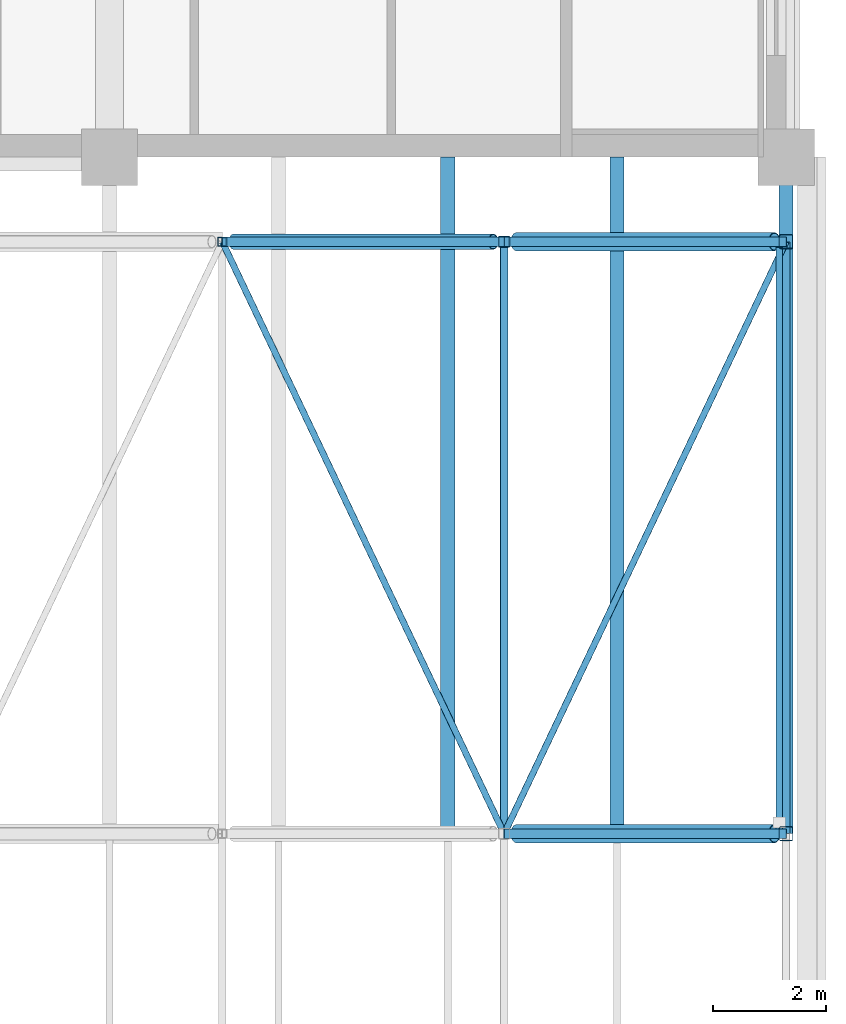
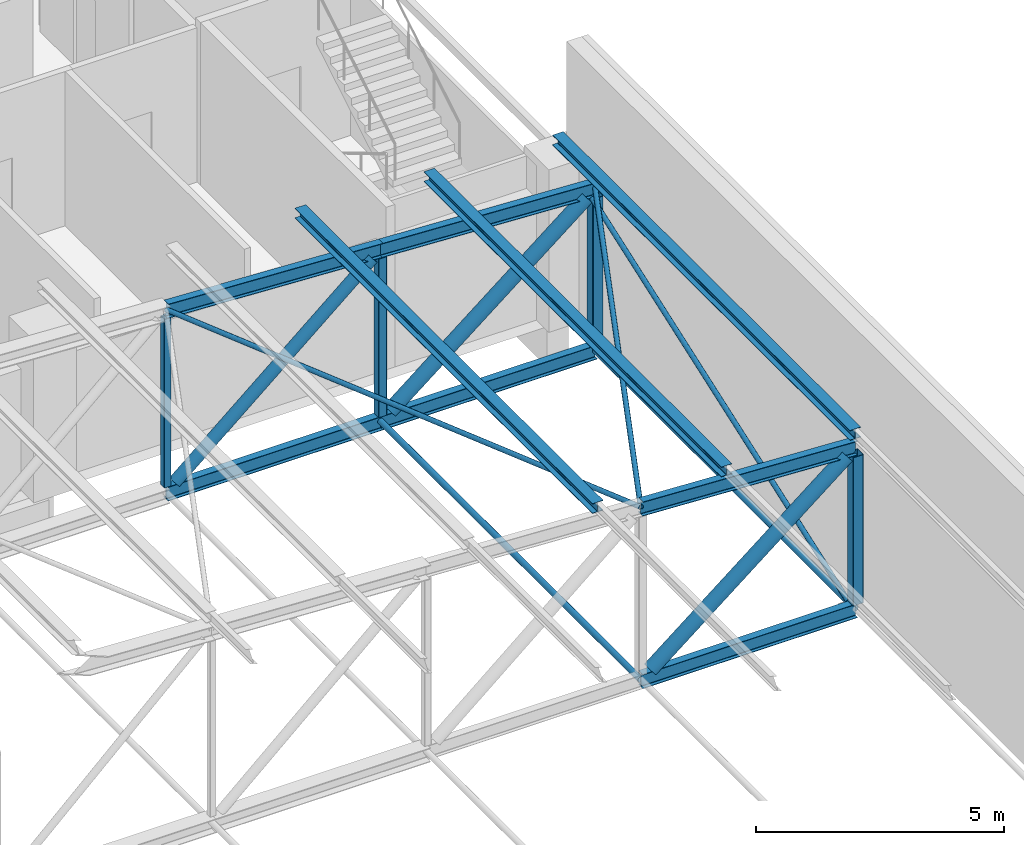
# One storey, part 127 of 156: 21 members.
"""IFC4 building model written with IfcOpenShell, lengths in metres."""

from ifc_helpers import new_model, si_unit, direction, frame, origin, origin_2d, place, context, subcontext, project, spatial, hollow_rectangle, hollow_circle, i_section, extrude, material, material_profile, profile_set, type_object, element, save


model = new_model("IFC4")

# Units and contexts
model_context = context("Model", 3, precision=1e-05, world=origin(), true_north=direction((0.0, 1.0)))
body_context = subcontext(model_context, "Body", "Model", "MODEL_VIEW")
ifc_project = project(units=[si_unit("LENGTHUNIT", "METRE"), si_unit("AREAUNIT", "SQUARE_METRE"), si_unit("VOLUMEUNIT", "CUBIC_METRE"), si_unit("PLANEANGLEUNIT", "RADIAN"), si_unit("MASSUNIT", "GRAM", prefix="KILO")], contexts=[model_context])

# Site, building, storey
site_placement = place(None, origin())
site = spatial("IfcSite", under=ifc_project, at=site_placement, CompositionType="ELEMENT")
building_placement = place(site_placement, origin())
building = spatial("IfcBuilding", under=site, at=building_placement, Name="Lilac Gate Convention Centre", CompositionType="ELEMENT")
storey_placement = place(building_placement, frame((0.0, 0.0, 17.0)))
storey = spatial("IfcBuildingStorey", under=building, at=storey_placement, Name="L03", CompositionType="ELEMENT", Elevation=17.0)

# Members
ifc_material = material(Name="Steel Q355B", Category="steel")
ifc_material_profile_1 = material_profile(ifc_material, hollow_circle(Radius=0.06982421875, WallThickness=0.0048828125, at=origin_2d()), Name="CHS139.7x5")
ifc_profile_set_1 = profile_set([ifc_material_profile_1], Name="Steel Q355B")
member_type_1 = type_object("IfcMemberType", Name="Bottom chord tie CHS139.7x5", PredefinedType="STRUT", material=ifc_profile_set_1)
for number, where, z_axis, x_axis, name in (
    (1, (85.0, 210.00341796875, 0.0), (0.0, 1.0, 0.0), (-1.0, 0.0, 0.0), "ST1 tie bay 16 node 12"),
    (2, (90.0, 210.00341796875, 0.0), (0.0, 1.0, 0.0), (-1.0, 0.0, 0.0), "ST1 tie bay 16 node 13"),
):
    element("IfcMember", number, at=place(storey_placement, frame(where, z_axis=z_axis, x_axis=x_axis)), inside=storey, type_object=member_type_1, Name=name, PredefinedType="STRUT", context=body_context, shape_type="SweptSolid", body=[
        extrude(hollow_circle(Radius=0.06982421875, WallThickness=0.0048828125, at=origin_2d()), origin(), (0.0, 0.0, 1.0), 10.4931640625),
    ])
ifc_material_profile_2 = material_profile(ifc_material, hollow_circle(Radius=0.05712890625, WallThickness=0.0048828125, at=origin_2d()), Name="CHS114.3x5")
ifc_profile_set_2 = profile_set([ifc_material_profile_2], Name="Steel Q355B")
member_type_2 = type_object("IfcMemberType", Name="Roof plane bracing CHS114.3x5", PredefinedType="BRACE", material=ifc_profile_set_2)
for number, where, z_axis, x_axis, name in (
    (3, (80.001708984375, 220.49658203125, 4.5), (0.429822733315, -0.902657142475, -0.021505837922), (0.902865954854, 0.429922164543, 0.0), "BR1 plan bracing bay 16 panel 11"),
    (4, (85.001708984375, 210.00341796875, 4.25), (0.429822733315, 0.902657142475, -0.021505837922), (-0.902865954854, 0.429922164543, 0.0), "BR1 plan bracing bay 16 panel 12"),
):
    element("IfcMember", number, at=place(storey_placement, frame(where, z_axis=z_axis, x_axis=x_axis)), inside=storey, type_object=member_type_2, Name=name, PredefinedType="BRACE", context=body_context, shape_type="SweptSolid", body=[
        extrude(hollow_circle(Radius=0.05712890625, WallThickness=0.0048828125, at=origin_2d()), origin(), (0.0, 0.0, 1.0), 11.624755859375),
    ])
ifc_material_profile_3 = material_profile(ifc_material, i_section(OverallWidth=0.25, OverallDepth=0.25, WebThickness=0.009033203125, FlangeThickness=0.013916015625, FilletRadius=0.012939453125, at=origin_2d()), Name="HW250x250x9x14")
ifc_profile_set_3 = profile_set([ifc_material_profile_3], Name="Steel Q355B")
member_type_3 = type_object("IfcMemberType", Name="Roof purlin HW250x250x9x14", PredefinedType="PURLIN", material=ifc_profile_set_3)
for number, where, z_axis, x_axis, name in (
    (5, (84.0, 210.0, 4.60009765625), (0.0, 1.0, 0.0), (-1.0, 0.0, 0.0), "PU1 purlin bay 16 line 19"),
    (6, (87.0, 210.0, 4.4501953125), (0.0, 1.0, 0.0), (-1.0, 0.0, 0.0), "PU1 purlin bay 16 line 20"),
    (7, (90.0, 210.0, 4.30029296875), (0.0, 1.0, 0.0), (-1.0, 0.0, 0.0), "PU1 purlin bay 16 line 21"),
):
    element("IfcMember", number, at=place(storey_placement, frame(where, z_axis=z_axis, x_axis=x_axis)), inside=storey, type_object=member_type_3, Name=name, PredefinedType="PURLIN", context=body_context, shape_type="SweptSolid", body=[
        extrude(i_section(OverallWidth=0.25, OverallDepth=0.25, WebThickness=0.009033203125, FlangeThickness=0.013916015625, FilletRadius=0.012939453125, at=origin_2d()), origin(), (0.0, 0.0, 1.0), 12.0),
    ])
ifc_material_profile_4 = material_profile(ifc_material, i_section(OverallWidth=0.175048828125, OverallDepth=0.35009765625, WebThickness=0.007080078125, FlangeThickness=0.010986328125, FilletRadius=0.012939453125, at=origin_2d()), Name="HN350x175x7x11")
ifc_profile_set_4 = profile_set([ifc_material_profile_4], Name="Steel Q355B")
member_type_4 = type_object("IfcMemberType", Name="Truss bottom chord HN350x175x7x11", PredefinedType="CHORD", material=ifc_profile_set_4)
for number, where, z_axis, x_axis, name in (
    (8, (85.0, 210.0, 0.0), (1.0, 0.0, 0.0), (0.0, 1.0, 0.0), "TB1 truss 16 bottom chord 12"),
    (9, (80.0, 220.5, 0.0), (1.0, 0.0, 0.0), (0.0, 1.0, 0.0), "TB1 truss 17 bottom chord 11"),
    (10, (85.0, 220.5, 0.0), (1.0, 0.0, 0.0), (0.0, 1.0, 0.0), "TB1 truss 17 bottom chord 12"),
):
    element("IfcMember", number, at=place(storey_placement, frame(where, z_axis=z_axis, x_axis=x_axis)), inside=storey, type_object=member_type_4, Name=name, PredefinedType="CHORD", context=body_context, shape_type="SweptSolid", body=[
        extrude(i_section(OverallWidth=0.175048828125, OverallDepth=0.35009765625, WebThickness=0.007080078125, FlangeThickness=0.010986328125, FilletRadius=0.012939453125, at=origin_2d()), origin(), (0.0, 0.0, 1.0), 5.0),
    ])
ifc_material_profile_5 = material_profile(ifc_material, hollow_circle(Radius=0.136474609375, WallThickness=0.010009765625, at=origin_2d()), Name="CHS273x10")
ifc_profile_set_5 = profile_set([ifc_material_profile_5], Name="Steel Q355B")
member_type_5 = type_object("IfcMemberType", Name="Truss diagonal CHS273x10", PredefinedType="BRACE", material=ifc_profile_set_5)
member_1_placement = place(storey_placement, frame((84.806884765625, 220.5, 4.085693359375), z_axis=(-0.761961263863, 0.0, -0.647622600263), x_axis=(0.0, -1.0, 0.0)))
element("IfcMember", 11, at=member_1_placement, inside=storey, type_object=member_type_5, Name="TW2 truss 17 diagonal 11", PredefinedType="BRACE", context=body_context, shape_type="SweptSolid", body=[
    extrude(hollow_circle(Radius=0.136474609375, WallThickness=0.010009765625, at=origin_2d()), origin(), (0.0, 0.0, 1.0), 6.03857421875),
])
ifc_material_profile_6 = material_profile(ifc_material, hollow_circle(Radius=0.161865234375, WallThickness=0.011962890625, at=origin_2d()), Name="CHS323.9x12")
ifc_profile_set_6 = profile_set([ifc_material_profile_6], Name="Steel Q355B")
member_type_6 = type_object("IfcMemberType", Name="Truss diagonal CHS323.9x12", PredefinedType="BRACE", material=ifc_profile_set_6)
for number, where, z_axis, x_axis, name in (
    (12, (89.794677734375, 210.0, 3.835693359375), (-0.780876938611, 0.0, -0.624684885959), (0.0, -1.0, 0.0), "TW1 truss 16 diagonal 12"),
    (13, (89.794677734375, 220.5, 3.835693359375), (-0.780876938611, 0.0, -0.624684885959), (0.0, -1.0, 0.0), "TW1 truss 17 diagonal 12"),
):
    element("IfcMember", number, at=place(storey_placement, frame(where, z_axis=z_axis, x_axis=x_axis)), inside=storey, type_object=member_type_6, Name=name, PredefinedType="BRACE", context=body_context, shape_type="SweptSolid", body=[
        extrude(hollow_circle(Radius=0.161865234375, WallThickness=0.011962890625, at=origin_2d()), origin(), (0.0, 0.0, 1.0), 5.860107421875),
    ])
ifc_material_profile_7 = material_profile(ifc_material, i_section(OverallWidth=0.175048828125, OverallDepth=0.35009765625, WebThickness=0.007080078125, FlangeThickness=0.010986328125, FilletRadius=0.012939453125, at=origin_2d()), Name="HN350x175x7x11")
ifc_profile_set_7 = profile_set([ifc_material_profile_7], Name="Steel Q355B")
member_type_7 = type_object("IfcMemberType", Name="Truss top chord HN350x175x7x11", PredefinedType="CHORD", material=ifc_profile_set_7)
for number, where, z_axis, x_axis, name in (
    (14, (85.0, 210.0, 4.25), (0.998752338878, 0.0, -0.049937616944), (0.0, 1.0, 0.0), "TT1 truss 16 top chord 12"),
    (15, (80.0, 220.5, 4.5), (0.998752338878, 0.0, -0.049937616944), (0.0, 1.0, 0.0), "TT1 truss 17 top chord 11"),
    (16, (85.0, 220.5, 4.25), (0.998752338878, 0.0, -0.049937616944), (0.0, 1.0, 0.0), "TT1 truss 17 top chord 12"),
):
    element("IfcMember", number, at=place(storey_placement, frame(where, z_axis=z_axis, x_axis=x_axis)), inside=storey, type_object=member_type_7, Name=name, PredefinedType="CHORD", context=body_context, shape_type="SweptSolid", body=[
        extrude(i_section(OverallWidth=0.175048828125, OverallDepth=0.35009765625, WebThickness=0.007080078125, FlangeThickness=0.010986328125, FilletRadius=0.012939453125, at=origin_2d()), origin(), (0.0, 0.0, 1.0), 5.00634765625),
    ])
ifc_material_profile_8 = material_profile(ifc_material, hollow_rectangle(XDim=0.159912109375, YDim=0.159912109375, WallThickness=0.006103515625, InnerFilletRadius=0.006103515625, OuterFilletRadius=0.011962890625, at=origin_2d()), Name="SHS160x160x6")
ifc_profile_set_8 = profile_set([ifc_material_profile_8], Name="Steel Q355B")
member_type_8 = type_object("IfcMemberType", Name="Truss vertical SHS160x160x6", PredefinedType="STRUT", material=ifc_profile_set_8)
member_2_placement = place(storey_placement, frame((80.0, 220.5, 0.175048828125), z_axis=(0.0, 0.0, 1.0), x_axis=(1.0, 0.0, 0.0)))
element("IfcMember", 17, at=member_2_placement, inside=storey, type_object=member_type_8, Name="TV3 truss 17 vertical 11", PredefinedType="STRUT", context=body_context, shape_type="SweptSolid", body=[
    extrude(hollow_rectangle(XDim=0.159912109375, YDim=0.159912109375, WallThickness=0.006103515625, InnerFilletRadius=0.006103515625, OuterFilletRadius=0.011962890625, at=origin_2d()), origin(), (0.0, 0.0, 1.0), 4.149658203125),
])
ifc_material_profile_9 = material_profile(ifc_material, hollow_rectangle(XDim=0.199951171875, YDim=0.199951171875, WallThickness=0.008056640625, InnerFilletRadius=0.011962890625, OuterFilletRadius=0.02001953125, at=origin_2d()), Name="SHS200x200x8")
ifc_profile_set_9 = profile_set([ifc_material_profile_9], Name="Steel Q355B")
member_type_9 = type_object("IfcMemberType", Name="Truss vertical SHS200x200x8", PredefinedType="STRUT", material=ifc_profile_set_9)
member_3_placement = place(storey_placement, frame((85.0, 220.5, 0.175048828125), z_axis=(0.0, 0.0, 1.0), x_axis=(1.0, 0.0, 0.0)))
element("IfcMember", 18, at=member_3_placement, inside=storey, type_object=member_type_9, Name="TV2 truss 17 vertical 12", PredefinedType="STRUT", context=body_context, shape_type="SweptSolid", body=[
    extrude(hollow_rectangle(XDim=0.199951171875, YDim=0.199951171875, WallThickness=0.008056640625, InnerFilletRadius=0.011962890625, OuterFilletRadius=0.02001953125, at=origin_2d()), origin(), (0.0, 0.0, 1.0), 3.899658203125),
])
ifc_material_profile_10 = material_profile(ifc_material, hollow_rectangle(XDim=0.25, YDim=0.25, WallThickness=0.010009765625, InnerFilletRadius=0.014892578125, OuterFilletRadius=0.02490234375, at=origin_2d()), Name="SHS250x250x10")
ifc_profile_set_10 = profile_set([ifc_material_profile_10], Name="Steel Q355B")
member_type_10 = type_object("IfcMemberType", Name="Truss vertical SHS250x250x10", PredefinedType="STRUT", material=ifc_profile_set_10)
for number, where, z_axis, x_axis, name in (
    (19, (90.0, 210.0, 0.175048828125), (0.0, 0.0, 1.0), (1.0, 0.0, 0.0), "TV1 truss 16 vertical 13"),
    (20, (90.0, 220.5, 0.175048828125), (0.0, 0.0, 1.0), (1.0, 0.0, 0.0), "TV1 truss 17 vertical 13"),
):
    element("IfcMember", number, at=place(storey_placement, frame(where, z_axis=z_axis, x_axis=x_axis)), inside=storey, type_object=member_type_10, Name=name, PredefinedType="STRUT", context=body_context, shape_type="SweptSolid", body=[
        extrude(hollow_rectangle(XDim=0.25, YDim=0.25, WallThickness=0.010009765625, InnerFilletRadius=0.014892578125, OuterFilletRadius=0.02490234375, at=origin_2d()), origin(), (0.0, 0.0, 1.0), 3.649658203125),
    ])
ifc_material_profile_11 = material_profile(ifc_material, hollow_circle(Radius=0.05712890625, WallThickness=0.006103515625, at=origin_2d()), Name="CHS114.3x6")
ifc_profile_set_11 = profile_set([ifc_material_profile_11], Name="Steel Q355B")
member_type_11 = type_object("IfcMemberType", Name="Vertical bracing CHS114.3x6", PredefinedType="BRACE", material=ifc_profile_set_11)
member_4_placement = place(storey_placement, frame((89.8798828125, 210.08740234375, 0.175048828125), z_axis=(0.0, 0.94265820088, 0.333759668495), x_axis=(-1.0, 0.0, 0.0)))
element("IfcMember", 21, at=member_4_placement, inside=storey, type_object=member_type_11, Name="BR2 vertical bracing bay 16 line 3", PredefinedType="BRACE", context=body_context, shape_type="SweptSolid", body=[
    extrude(hollow_circle(Radius=0.05712890625, WallThickness=0.006103515625, at=origin_2d()), origin(), (0.0, 0.0, 1.0), 10.953369140625),
])

save(model, "model.ifc")
